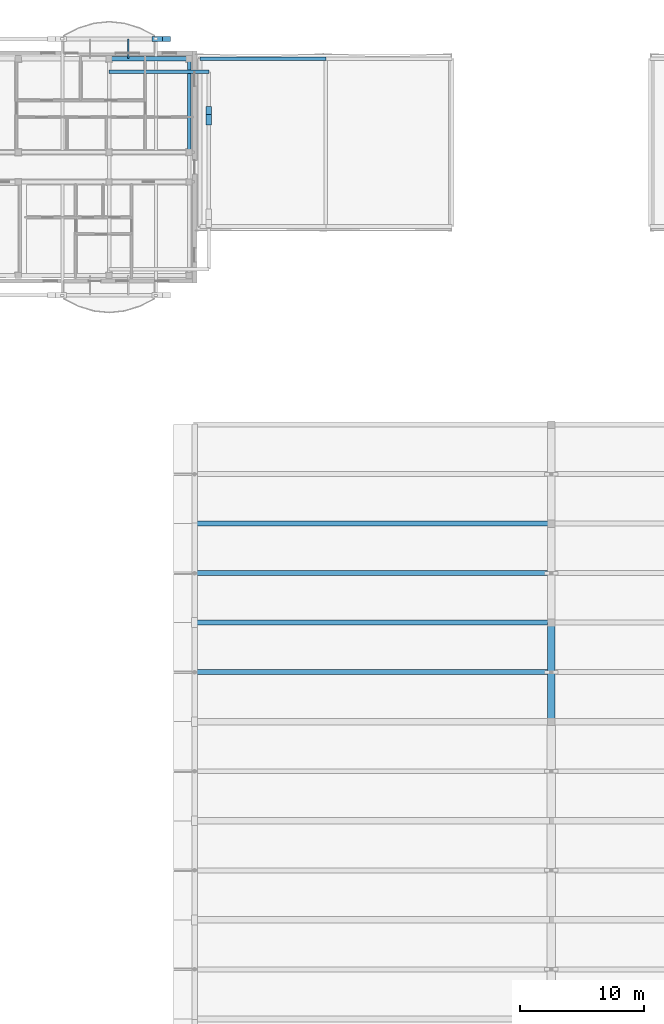
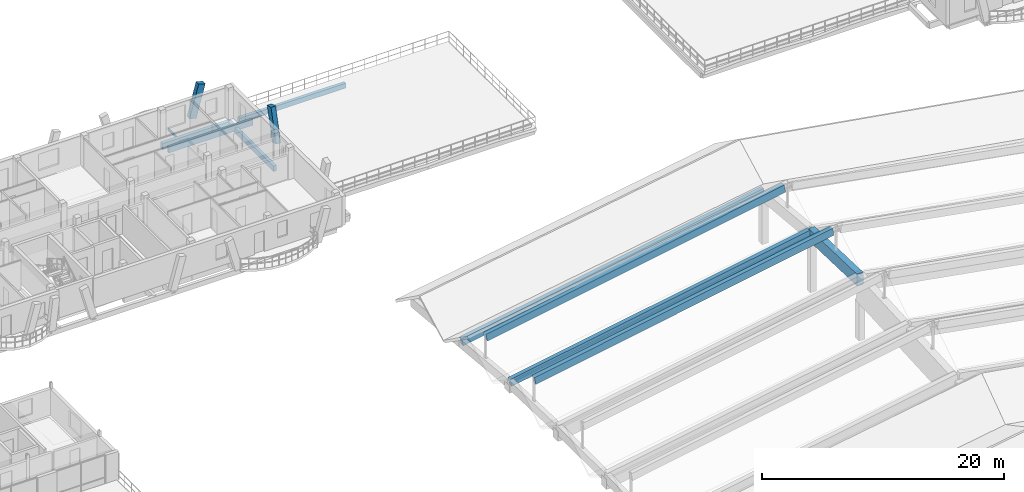
# One storey, part 34 of 109: 10 beams, 2 members.
"""IFC4 building model written with IfcOpenShell, lengths in metres."""

from ifc_helpers import new_model, si_unit, direction, frame, origin, origin_2d, place, context, subcontext, project, spatial, rectangle, i_section, extrude, material, material_profile, profile_set, type_object, element, save


model = new_model("IFC4")

# Units and contexts
model_context = context("Model", 3, precision=1e-05, world=origin(), true_north=direction((0.0, 1.0)))
body_context = subcontext(model_context, "Body", "Model", "MODEL_VIEW")
ifc_project = project(units=[si_unit("LENGTHUNIT", "METRE"), si_unit("AREAUNIT", "SQUARE_METRE"), si_unit("VOLUMEUNIT", "CUBIC_METRE"), si_unit("PLANEANGLEUNIT", "RADIAN"), si_unit("MASSUNIT", "GRAM", prefix="KILO")], contexts=[model_context])

# Site, building, storey
site_placement = place(None, origin())
site = spatial("IfcSite", under=ifc_project, at=site_placement, CompositionType="ELEMENT")
building_placement = place(site_placement, origin())
building = spatial("IfcBuilding", under=site, at=building_placement, Name="Zavelmont Quarter", CompositionType="ELEMENT")
storey_placement = place(building_placement, frame((0.0, 0.0, 8.0)))
storey = spatial("IfcBuildingStorey", under=building, at=storey_placement, Name="L02", CompositionType="ELEMENT", Elevation=8.0)

# Beams
ifc_material_1 = material(Name="Concrete C35/45", Category="concrete")
ifc_material_profile_1 = material_profile(ifc_material_1, rectangle(XDim=0.35009765625, YDim=0.60009765625, at=origin_2d()), Name="RC350X600")
ifc_profile_set_1 = profile_set([ifc_material_profile_1], Name="Concrete C35/45")
beam_type_1 = type_object("IfcBeamType", Name="BM01", PredefinedType="SPANDREL", material=ifc_profile_set_1)
beam_1_placement = place(storey_placement, frame((48.300048828125, 115.56005859375, -0.570068359375), z_axis=(1.0, 0.0, 0.0), x_axis=(0.0, 1.0, 0.0)))
element("IfcBeam", 1, at=beam_1_placement, inside=storey, type_object=beam_type_1, Name="L02 beam BM01 8/S to 9/S", PredefinedType="SPANDREL", context=body_context, shape_type="SweptSolid", body=[
    extrude(rectangle(XDim=0.35009765625, YDim=0.60009765625, at=origin_2d()), origin(), (0.0, 0.0, 1.0), 6.4599609375),
])
ifc_material_profile_2 = material_profile(ifc_material_1, rectangle(XDim=0.300048828125, YDim=0.550048828125, at=origin_2d()), Name="RC300X550")
ifc_profile_set_2 = profile_set([ifc_material_profile_2], Name="Concrete C35/45")
beam_type_2 = type_object("IfcBeamType", Name="BM02", PredefinedType="SPANDREL", material=ifc_profile_set_2)
beam_2_placement = place(storey_placement, frame((54.760009765625, 108.0, -0.544921875), z_axis=(0.0, 1.0, 0.0), x_axis=(-1.0, 0.0, 0.0)))
element("IfcBeam", 2, at=beam_2_placement, inside=storey, type_object=beam_type_2, Name="L02 beam BM02 9/R to 9/S", PredefinedType="SPANDREL", context=body_context, shape_type="SweptSolid", body=[
    extrude(rectangle(XDim=0.300048828125, YDim=0.550048828125, at=origin_2d()), origin(), (0.0, 0.0, 1.0), 7.56005859375),
])
ifc_material_profile_3 = material_profile(ifc_material_1, rectangle(XDim=0.300048828125, YDim=0.5, at=origin_2d()), Name="RC300X500")
ifc_profile_set_3 = profile_set([ifc_material_profile_3], Name="Concrete C35/45")
beam_type_3 = type_object("IfcBeamType", Name="BM03", PredefinedType="BEAM", material=ifc_profile_set_3)
beam_3_placement = place(storey_placement, frame((55.639892578125, 115.56005859375, -0.5400390625), z_axis=(1.0, 0.0, 0.0), x_axis=(0.0, 1.0, 0.0)))
element("IfcBeam", 3, at=beam_3_placement, inside=storey, type_object=beam_type_3, Name="L02 beam BM03 9/S to 10/S", PredefinedType="BEAM", context=body_context, shape_type="SweptSolid", body=[
    extrude(rectangle(XDim=0.300048828125, YDim=0.5, at=origin_2d()), origin(), (0.0, 0.0, 1.0), 10.16015625),
])
ifc_material_2 = material(Name="Concrete C40/50", Category="concrete")
ifc_material_profile_4 = material_profile(ifc_material_2, rectangle(XDim=0.39990234375, YDim=0.75, at=origin_2d()), Name="RC400X750")
ifc_profile_set_4 = profile_set([ifc_material_profile_4], Name="Concrete C40/50")
beam_type_4 = type_object("IfcBeamType", Name="BM05", PredefinedType="BEAM", material=ifc_profile_set_4)
for number, where, z_axis, x_axis, name in (
    (4, (55.199951171875, 70.0, 0.830078125), (0.984681036413, 0.0, 0.174365296229), (0.0, 1.0, 0.0), "L02 beam BM05 9/L to 13/L"),
    (5, (55.199951171875, 78.0, 0.080078125), (0.984681036413, 0.0, 0.174365296229), (0.0, 1.0, 0.0), "L02 beam BM05 9/M to 13/M"),
):
    element("IfcBeam", number, at=place(storey_placement, frame(where, z_axis=z_axis, x_axis=x_axis)), inside=storey, type_object=beam_type_4, Name=name, PredefinedType="BEAM", context=body_context, shape_type="SweptSolid", body=[
        extrude(rectangle(XDim=0.39990234375, YDim=0.75, at=origin_2d()), origin(), (0.0, 0.0, 1.0), 29.248046875),
    ])
for number, where, z_axis, x_axis, name in (
    (6, (55.199951171875, 66.0, 3.455078125), (0.984299788364, 0.0, 0.176504749585), (0.0, 1.0, 0.0), "L02 beam BM05 9/K to 13/K"),
    (7, (55.199951171875, 74.0, 2.955078125), (0.984299788364, 0.0, 0.176504749585), (0.0, 1.0, 0.0), "L02 beam BM05 9/L to 13/L"),
):
    element("IfcBeam", number, at=place(storey_placement, frame(where, z_axis=z_axis, x_axis=x_axis)), inside=storey, type_object=beam_type_4, Name=name, PredefinedType="BEAM", context=body_context, shape_type="SweptSolid", body=[
        extrude(rectangle(XDim=0.39990234375, YDim=0.75, at=origin_2d()), origin(), (0.0, 0.0, 1.0), 28.8935546875),
    ])
ifc_material_profile_5 = material_profile(ifc_material_2, rectangle(XDim=0.60009765625, YDim=1.199951171875, at=origin_2d()), Name="RC600X1200")
ifc_profile_set_5 = profile_set([ifc_material_profile_5], Name="Concrete C40/50")
beam_type_5 = type_object("IfcBeamType", Name="BM07", PredefinedType="BEAM", material=ifc_profile_set_5)
beam_4_placement = place(storey_placement, frame((84.0, 62.0, 5.955078125), z_axis=(0.0, 0.999512076087, -0.031234752378), x_axis=(-1.0, 0.0, 0.0)))
element("IfcBeam", 8, at=beam_4_placement, inside=storey, type_object=beam_type_5, Name="L02 beam BM07 13/K to 13/L", PredefinedType="BEAM", context=body_context, shape_type="SweptSolid", body=[
    extrude(rectangle(XDim=0.60009765625, YDim=1.199951171875, at=origin_2d()), origin(), (0.0, 0.0, 1.0), 8.00390625),
])
ifc_material_3 = material(Name="Steel S355", Category="steel")
ifc_material_profile_6 = material_profile(ifc_material_3, i_section(OverallWidth=0.110107421875, OverallDepth=0.219970703125, WebThickness=0.005859375, FlangeThickness=0.00927734375, at=origin_2d()), Name="IPE 220")
ifc_profile_set_6 = profile_set([ifc_material_profile_6], Name="Steel S355")
beam_type_6 = type_object("IfcBeamType", Name="BM15", PredefinedType="JOIST", material=ifc_profile_set_6)
beam_5_placement = place(storey_placement, frame((49.85009765625, 115.56005859375, -0.382080078125), z_axis=(0.0, 1.0, 0.0), x_axis=(-1.0, 0.0, 0.0)))
element("IfcBeam", 9, at=beam_5_placement, inside=storey, type_object=beam_type_6, Name="L02 beam BM15 8/S to 8/S", PredefinedType="JOIST", context=body_context, shape_type="SweptSolid", body=[
    extrude(i_section(OverallWidth=0.110107421875, OverallDepth=0.219970703125, WebThickness=0.005859375, FlangeThickness=0.00927734375, at=origin_2d()), origin(), (0.0, 0.0, 1.0), 1.58984375),
])
ifc_material_profile_7 = material_profile(ifc_material_2, rectangle(XDim=0.25, YDim=0.60009765625, at=origin_2d()), Name="RC250X600")
ifc_profile_set_7 = profile_set([ifc_material_profile_7], Name="Concrete C40/50")
beam_type_7 = type_object("IfcBeamType", Name="BM18", PredefinedType="BEAM", material=ifc_profile_set_7)
beam_6_placement = place(storey_placement, frame((48.300048828125, 114.5, -0.300048828125), z_axis=(1.0, 0.0, 0.0), x_axis=(0.0, 1.0, 0.0)))
element("IfcBeam", 10, at=beam_6_placement, inside=storey, type_object=beam_type_7, Name="L02 beam BM18 8/S to 9/S", PredefinedType="BEAM", context=body_context, shape_type="SweptSolid", body=[
    extrude(rectangle(XDim=0.25, YDim=0.60009765625, at=origin_2d()), origin(), (0.0, 0.0, 1.0), 8.050048828125),
])

# Members
ifc_material_4 = material(Name="White architectural precast concrete C40/50", Category="concrete")
ifc_material_profile_8 = material_profile(ifc_material_4, rectangle(XDim=0.43994140625, YDim=0.659912109375, at=origin_2d()), Name="PCR320X480")
ifc_profile_set_8 = profile_set([ifc_material_profile_8], Name="White architectural precast concrete C40/50")
member_type = type_object("IfcMemberType", Name="VR01M", PredefinedType="CHORD", material=ifc_profile_set_8)
member_1_placement = place(storey_placement, frame((52.07421875, 117.14990234375, 0.0), z_axis=(0.262045658156, 0.0, 0.965055476665), x_axis=(0.0, 1.0, 0.0)))
element("IfcMember", 11, at=member_1_placement, inside=storey, type_object=member_type, Name="L02 member VR01M 9/S to 9/S", PredefinedType="CHORD", context=body_context, shape_type="SweptSolid", body=[
    extrude(rectangle(XDim=0.43994140625, YDim=0.659912109375, at=origin_2d()), origin(), (0.0, 0.0, 1.0), 3.31591796875),
])
member_2_placement = place(storey_placement, frame((56.35009765625, 110.520751953125, 0.0), z_axis=(0.0, 0.256616061088, 0.966513423182), x_axis=(-1.0, 0.0, 0.0)))
element("IfcMember", 12, at=member_2_placement, inside=storey, type_object=member_type, Name="L02 member VR01M 9/R to 9/R", PredefinedType="CHORD", context=body_context, shape_type="SweptSolid", body=[
    extrude(rectangle(XDim=0.43994140625, YDim=0.659912109375, at=origin_2d()), origin(), (0.0, 0.0, 1.0), 3.310791015625),
])

save(model, "model.ifc")
